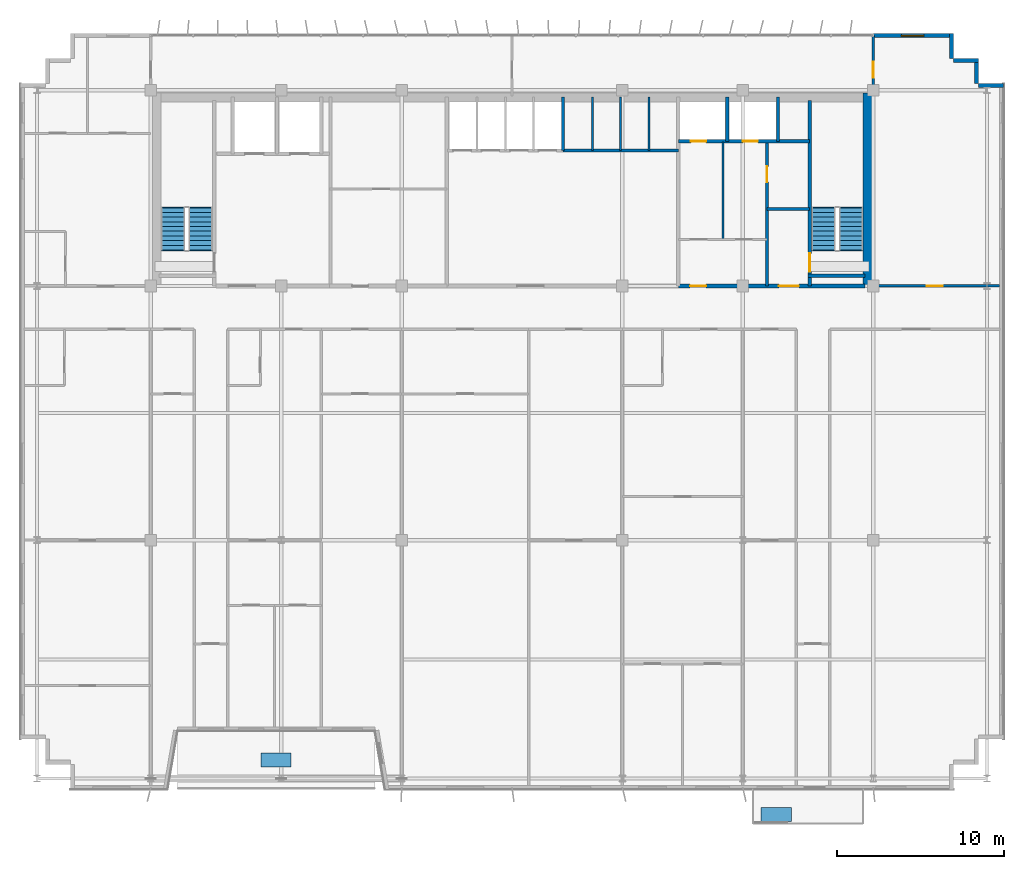
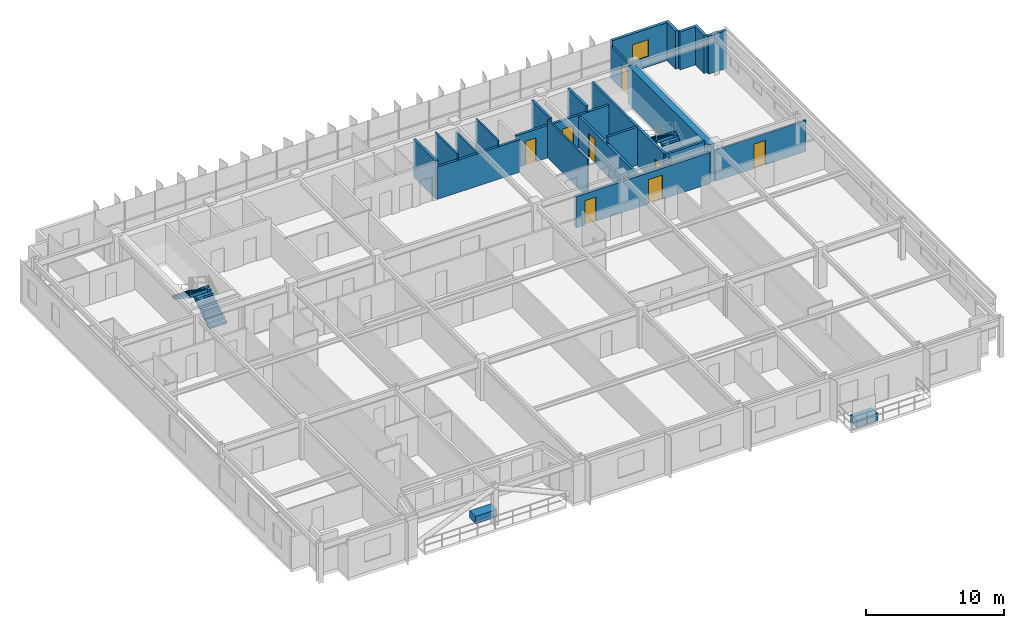
# One storey, part 18 of 20: 22 walls, 8 doors, 4 stair flights, 2 discrete accessories, 1 window, 9 openings, 2 elements without a shape of their own.
"""IFC4 building model written with IfcOpenShell, lengths in metres."""

from ifc_helpers import new_model, si_unit, direction, frame, frame_2d, origin, origin_2d, place, context, subcontext, project, spatial, polyline, rectangle, outline, extrude, source, transform, mapped, material, layer, layer_set, type_object, element, fill, aggregate, save


model = new_model("IFC4")

# Units and contexts
model_context = context("Model", 3, precision=1e-05, world=origin(), true_north=direction((0.0, 1.0)))
body_context = subcontext(model_context, "Body", "Model", "MODEL_VIEW")
ifc_project = project(units=[si_unit("LENGTHUNIT", "METRE"), si_unit("AREAUNIT", "SQUARE_METRE"), si_unit("VOLUMEUNIT", "CUBIC_METRE"), si_unit("PLANEANGLEUNIT", "RADIAN"), si_unit("MASSUNIT", "GRAM", prefix="KILO")], contexts=[model_context])

# Site, building, storey
site_placement = place(None, origin())
site = spatial("IfcSite", under=ifc_project, at=site_placement, CompositionType="ELEMENT")
building_placement = place(site_placement, origin())
building = spatial("IfcBuilding", under=site, at=building_placement, Name="Trelvane Seafront Commons", CompositionType="ELEMENT")
storey_placement = place(building_placement, frame((0.0, 0.0, 171.699951171875)))
storey = spatial("IfcBuildingStorey", under=building, at=storey_placement, Name="L45", CompositionType="ELEMENT", Elevation=171.699951171875)

# Wall, opening, window
ifc_material_1 = material(Name="Precast concrete C40/50", Category="concrete")
ifc_layer_1 = layer(ifc_material_1, 0.239990234375, Name="ARCH-WALL-EXT240")
ifc_layer_set_1 = layer_set([ifc_layer_1], Name="Precast concrete C40/50")
wall_type_1 = type_object("IfcWallType", Name="ARCH-WALL-EXT240", PredefinedType="SOLIDWALL", material=ifc_layer_set_1)
wall_1_placement = place(storey_placement, frame((58.800048828125, 48.3701171875, 0.0), z_axis=(0.0, 0.0, 1.0), x_axis=(1.0, 0.0, 0.0)))
wall_1 = element("IfcWall", 1, at=wall_1_placement, inside=storey, type_object=wall_type_1, Name="EW-L45-NE-0885", PredefinedType="SOLIDWALL", context=body_context, shape_type="SweptSolid", body=[
    extrude(rectangle(XDim=4.699951171875, YDim=0.239990234375, at=frame_2d((2.35009765625, 0.0))), origin(), (0.0, 0.0, 1.0), 3.35009765625),
])
opening_1_placement = place(wall_1_placement, frame((1.675048828125, 0.0, 0.89990234375)))
opening_1 = element("IfcOpeningElement", 2, at=opening_1_placement, cuts=wall_1, Name="Opening W09", PredefinedType="OPENING", context=body_context, shape_type="SweptSolid", body=[
    extrude(rectangle(XDim=1.35009765625, YDim=1.5, at=frame_2d((0.675048828125, 0.75))), frame((0.0, 0.1298828125, 0.0), z_axis=(0.0, -1.0, 0.0), x_axis=(1.0, 0.0, 0.0)), (0.0, 0.0, 1.0), 0.260009765625),
])
ifc_material_2 = material(Name="Low-E coastal double glazing", Category="glass")
window_type = type_object("IfcWindowType", Name="ARCH-WIN-W09", PartitioningType="SINGLE_PANEL", PredefinedType="WINDOW", material=ifc_material_2)
shared_shape_1 = source(origin(), body_context, "Body", "SweptSolid", [
    extrude(rectangle(XDim=1.35009765625, YDim=1.5, at=frame_2d((0.675048828125, 0.75))), frame((0.0, 0.030029296875, 0.0), z_axis=(0.0, -1.0, 0.0), x_axis=(1.0, 0.0, 0.0)), (0.0, 0.0, 1.0), 0.06005859375),
])
window_placement = place(opening_1_placement, origin())
window = element("IfcWindow", 3, at=window_placement, inside=storey, type_object=window_type, Name="WIN-L45-01065", OverallHeight=1.5, OverallWidth=1.35009765625, PartitioningType="SINGLE_PANEL", PredefinedType="WINDOW", context=body_context, shape_type="MappedRepresentation", body=[
    mapped(shared_shape_1, transform((0.0, 0.0, 0.0), x_axis=(1.0, 0.0, 0.0), y_axis=(0.0, 1.0, 0.0), z_axis=(0.0, 0.0, 1.0), scale=1.0)),
])
fill(opening_1, window)

# Walls
for number, where, z_axis, x_axis, name in (
    (4, (63.47998046875, 48.5, 0.0), (0.0, 0.0, 1.0), (0.0, -1.0, 0.0), "EW-L45-00894"),
    (5, (63.60009765625, 46.8798828125, 0.0), (0.0, 0.0, 1.0), (1.0, 0.0, 0.0), "EW-L45-00895"),
    (6, (64.97998046875, 47.0, 0.0), (0.0, 0.0, 1.0), (0.0, -1.0, 0.0), "EW-L45-00896"),
    (7, (65.10009765625, 45.3798828125, 0.0), (0.0, 0.0, 1.0), (1.0, 0.0, 0.0), "EW-L45-00897"),
):
    element("IfcWall", number, at=place(storey_placement, frame(where, z_axis=z_axis, x_axis=x_axis)), inside=storey, type_object=wall_type_1, Name=name, PredefinedType="SOLIDWALL", context=body_context, shape_type="SweptSolid", body=[
        extrude(rectangle(XDim=1.5, YDim=0.239990234375, at=frame_2d((0.75, 0.0))), origin(), (0.0, 0.0, 1.0), 3.35009765625),
    ])

# Wall, opening, door
ifc_material_3 = material(Name="Concrete C40/50", Category="concrete")
ifc_layer_2 = layer(ifc_material_3, 0.199951171875, Name="ARCH-WALL-FIRE200")
ifc_layer_set_2 = layer_set([ifc_layer_2], Name="Concrete C40/50")
wall_type_2 = type_object("IfcWallType", Name="ARCH-WALL-FIRE200", PredefinedType="PARTITIONING", material=ifc_layer_set_2)
wall_2_placement = place(storey_placement, frame((52.449951171875, 33.39990234375, 0.0), z_axis=(0.0, 0.0, 1.0), x_axis=(0.0, 1.0, 0.0)))
wall_2 = element("IfcWall", 8, at=wall_2_placement, inside=storey, type_object=wall_type_2, Name="W-L45-ST2V-W-031", PredefinedType="PARTITIONING", context=body_context, shape_type="SweptSolid", body=[
    extrude(rectangle(XDim=8.650146484375, YDim=0.199951171875, at=frame_2d((4.3251953125, 0.0))), origin(), (0.0, 0.0, 1.0), 2.75),
])
opening_2_placement = place(wall_2_placement, frame((6.199951171875, 0.0, 0.0)))
opening_2 = element("IfcOpeningElement", 9, at=opening_2_placement, cuts=wall_2, Name="Opening FD-L45-15", PredefinedType="OPENING", context=body_context, shape_type="SweptSolid", body=[
    extrude(rectangle(XDim=0.949951171875, YDim=2.14990234375, at=frame_2d((0.47509765625, 1.074951171875))), frame((0.0, 0.10986328125, 0.0), z_axis=(0.0, -1.0, 0.0), x_axis=(1.0, 0.0, 0.0)), (0.0, 0.0, 1.0), 0.219970703125),
])
ifc_material_4 = material(Name="Powder-coated aluminium frame", Category="aluminium")
door_type_1 = type_object("IfcDoorType", Name="ARCH-DR-FD60-950", OperationType="NOTDEFINED", PredefinedType="DOOR", material=ifc_material_4)
shared_shape_2 = source(origin(), body_context, "Body", "SweptSolid", [
    extrude(rectangle(XDim=0.949951171875, YDim=2.14990234375, at=frame_2d((0.47509765625, 1.074951171875))), frame((0.0, 0.02490234375, 0.0), z_axis=(0.0, -1.0, 0.0), x_axis=(1.0, 0.0, 0.0)), (0.0, 0.0, 1.0), 0.050048828125),
])
door_1_placement = place(opening_2_placement, origin())
door_1 = element("IfcDoor", 10, at=door_1_placement, inside=storey, type_object=door_type_1, Name="L45 Cleaner Store Door", OperationType="SINGLE_SWING_LEFT", OverallHeight=2.14990234375, OverallWidth=0.949951171875, PredefinedType="DOOR", context=body_context, shape_type="MappedRepresentation", body=[
    mapped(shared_shape_2, transform((0.0, 0.0, 0.0), x_axis=(1.0, 0.0, 0.0), y_axis=(0.0, 1.0, 0.0), z_axis=(0.0, 0.0, 1.0), scale=1.0)),
])
fill(opening_2, door_1)

# Wall
wall_3_placement = place(storey_placement, frame((52.449951171875, 38.0, 0.0), z_axis=(0.0, 0.0, 1.0), x_axis=(1.0, 0.0, 0.0)))
element("IfcWall", 11, at=wall_3_placement, inside=storey, type_object=wall_type_2, Name="W-L45-ST2V-N-032", PredefinedType="PARTITIONING", context=body_context, shape_type="SweptSolid", body=[
    extrude(rectangle(XDim=2.550048828125, YDim=0.199951171875, at=frame_2d((1.27490234375, 0.0))), origin(), (0.0, 0.0, 1.0), 3.35009765625),
])

# Wall, openings, doors
ifc_layer_3 = layer(ifc_material_3, 0.25, Name="ARCH-WALL-FIRE250")
ifc_layer_set_3 = layer_set([ifc_layer_3], Name="Concrete C40/50")
wall_type_3 = type_object("IfcWallType", Name="ARCH-WALL-FIRE250", PredefinedType="PARTITIONING", material=ifc_layer_set_3)
wall_4_placement = place(storey_placement, frame((47.14990234375, 33.39990234375, 0.0), z_axis=(0.0, 0.0, 1.0), x_axis=(1.0, 0.0, 0.0)))
wall_4 = element("IfcWall", 12, at=wall_4_placement, inside=storey, type_object=wall_type_3, Name="W-L45-CS-EAST-035", PredefinedType="PARTITIONING", context=body_context, shape_type="SweptSolid", body=[
    extrude(rectangle(XDim=11.150146484375, YDim=0.25, at=frame_2d((5.5751953125, 0.0))), origin(), (0.0, 0.0, 1.0), 2.75),
])
opening_3_placement = place(wall_4_placement, frame((0.699951171875, 0.0, 0.0)))
opening_3 = element("IfcOpeningElement", 13, at=opening_3_placement, cuts=wall_4, Name="Opening FD-L45-18", PredefinedType="OPENING", context=body_context, shape_type="SweptSolid", body=[
    extrude(rectangle(XDim=0.949951171875, YDim=2.14990234375, at=frame_2d((0.47509765625, 1.074951171875))), frame((0.0, 0.135009765625, 0.0), z_axis=(0.0, -1.0, 0.0), x_axis=(1.0, 0.0, 0.0)), (0.0, 0.0, 1.0), 0.27001953125),
])
opening_4_placement = place(wall_4_placement, frame((6.0, 0.0, 0.0)))
opening_4 = element("IfcOpeningElement", 14, at=opening_4_placement, cuts=wall_4, Name="Opening FD-L45-19", PredefinedType="OPENING", context=body_context, shape_type="SweptSolid", body=[
    extrude(rectangle(XDim=1.199951171875, YDim=2.14990234375, at=frame_2d((0.60009765625, 1.074951171875))), frame((0.0, 0.135009765625, 0.0), z_axis=(0.0, -1.0, 0.0), x_axis=(1.0, 0.0, 0.0)), (0.0, 0.0, 1.0), 0.27001953125),
])
door_2_placement = place(opening_3_placement, origin())
door_2 = element("IfcDoor", 15, at=door_2_placement, inside=storey, type_object=door_type_1, Name="L45 Core Service Lobby Door", OperationType="SINGLE_SWING_RIGHT", OverallHeight=2.14990234375, OverallWidth=0.949951171875, PredefinedType="DOOR", context=body_context, shape_type="MappedRepresentation", body=[
    mapped(shared_shape_2, transform((0.0, 0.0, 0.0), x_axis=(1.0, 0.0, 0.0), y_axis=(0.0, 1.0, 0.0), z_axis=(0.0, 0.0, 1.0), scale=1.0)),
])
fill(opening_3, door_2)
door_type_2 = type_object("IfcDoorType", Name="ARCH-DR-FD60-1200", OperationType="NOTDEFINED", PredefinedType="DOOR", material=ifc_material_4)
shared_shape_3 = source(origin(), body_context, "Body", "SweptSolid", [
    extrude(rectangle(XDim=1.199951171875, YDim=2.14990234375, at=frame_2d((0.60009765625, 1.074951171875))), frame((0.0, 0.02490234375, 0.0), z_axis=(0.0, -1.0, 0.0), x_axis=(1.0, 0.0, 0.0)), (0.0, 0.0, 1.0), 0.050048828125),
])
door_3_placement = place(opening_4_placement, origin())
door_3 = element("IfcDoor", 16, at=door_3_placement, inside=storey, type_object=door_type_2, Name="L45 East Stair Vestibule Fire Door", OperationType="SINGLE_SWING_LEFT", OverallHeight=2.14990234375, OverallWidth=1.199951171875, PredefinedType="DOOR", context=body_context, shape_type="MappedRepresentation", body=[
    mapped(shared_shape_3, transform((0.0, 0.0, 0.0), x_axis=(1.0, 0.0, 0.0), y_axis=(0.0, 1.0, 0.0), z_axis=(0.0, 0.0, 1.0), scale=1.0)),
])
fill(opening_4, door_3)

# Walls
ifc_material_5 = material(Name="Gypsum Drywall Acoustic Partition")
ifc_layer_4 = layer(ifc_material_5, 0.1201171875, Name="ARCH-WALL-PART120")
ifc_layer_set_4 = layer_set([ifc_layer_4], Name="Gypsum Drywall Acoustic Partition")
wall_type_4 = type_object("IfcWallType", Name="ARCH-WALL-PART120", PredefinedType="PARTITIONING", material=ifc_layer_set_4)
wall_5_placement = place(storey_placement, frame((42.0, 41.5, 0.0), z_axis=(0.0, 0.0, 1.0), x_axis=(0.0, 1.0, 0.0)))
element("IfcWall", 17, at=wall_5_placement, inside=storey, type_object=wall_type_4, Name="W-L45-PH-DIV1-022", PredefinedType="PARTITIONING", context=body_context, shape_type="SweptSolid", body=[
    extrude(rectangle(XDim=3.199951171875, YDim=0.1201171875, at=frame_2d((1.60009765625, 0.0))), origin(), (0.0, 0.0, 1.0), 3.35009765625),
])
wall_6_placement = place(storey_placement, frame((43.699951171875, 41.5, 0.0), z_axis=(0.0, 0.0, 1.0), x_axis=(0.0, 1.0, 0.0)))
element("IfcWall", 18, at=wall_6_placement, inside=storey, type_object=wall_type_4, Name="W-L45-PH-DIV2-023", PredefinedType="PARTITIONING", context=body_context, shape_type="SweptSolid", body=[
    extrude(rectangle(XDim=3.199951171875, YDim=0.1201171875, at=frame_2d((1.60009765625, 0.0))), origin(), (0.0, 0.0, 1.0), 2.85009765625),
])
wall_7_placement = place(storey_placement, frame((45.39990234375, 41.5, 0.0), z_axis=(0.0, 0.0, 1.0), x_axis=(0.0, 1.0, 0.0)))
element("IfcWall", 19, at=wall_7_placement, inside=storey, type_object=wall_type_4, Name="W-L45-PH-DIV3-024", PredefinedType="PARTITIONING", context=body_context, shape_type="SweptSolid", body=[
    extrude(rectangle(XDim=3.199951171875, YDim=0.1201171875, at=frame_2d((1.60009765625, 0.0))), origin(), (0.0, 0.0, 1.0), 3.35009765625),
])
wall_8_placement = place(storey_placement, frame((49.820068359375, 36.179931640625, 0.0), z_axis=(0.0, 0.0, 1.0), x_axis=(0.0, 1.0, 0.0)))
element("IfcWall", 20, at=wall_8_placement, inside=storey, type_object=wall_type_4, Name="W-L45-CYC1-V-034", PredefinedType="PARTITIONING", context=body_context, shape_type="SweptSolid", body=[
    extrude(rectangle(XDim=5.820068359375, YDim=0.1201171875, at=frame_2d((2.91015625, 0.0))), origin(), (0.0, 0.0, 1.0), 3.35009765625),
])

# Wall, opening, door
ifc_layer_5 = layer(ifc_material_5, 0.14990234375, Name="ARCH-WALL-PART150")
ifc_layer_set_5 = layer_set([ifc_layer_5], Name="Gypsum Drywall Acoustic Partition")
wall_type_5 = type_object("IfcWallType", Name="ARCH-WALL-PART150", PredefinedType="PARTITIONING", material=ifc_layer_set_5)
wall_9_placement = place(storey_placement, frame((58.800048828125, 33.39990234375, 0.0), z_axis=(0.0, 0.0, 1.0), x_axis=(1.0, 0.0, 0.0)))
wall_9 = element("IfcWall", 21, at=wall_9_placement, inside=storey, type_object=wall_type_5, Name="W-L45-NE-ENT-042", PredefinedType="PARTITIONING", context=body_context, shape_type="SweptSolid", body=[
    extrude(rectangle(XDim=7.550048828125, YDim=0.14990234375, at=frame_2d((3.77490234375, 0.0))), origin(), (0.0, 0.0, 1.0), 2.75),
])
opening_5_placement = place(wall_9_placement, frame((3.199951171875, 0.0, 0.0)))
opening_5 = element("IfcOpeningElement", 22, at=opening_5_placement, cuts=wall_9, Name="Opening FD-L45-24", PredefinedType="OPENING", context=body_context, shape_type="SweptSolid", body=[
    extrude(rectangle(XDim=0.949951171875, YDim=2.14990234375, at=frame_2d((0.47509765625, 1.074951171875))), frame((0.0, 0.0849609375, 0.0), z_axis=(0.0, -1.0, 0.0), x_axis=(1.0, 0.0, 0.0)), (0.0, 0.0, 1.0), 0.169921875),
])
door_4_placement = place(opening_5_placement, origin())
door_4 = element("IfcDoor", 23, at=door_4_placement, inside=storey, type_object=door_type_1, Name="L45 NE Suite Entrance Door", OperationType="SINGLE_SWING_RIGHT", OverallHeight=2.14990234375, OverallWidth=0.949951171875, PredefinedType="DOOR", context=body_context, shape_type="MappedRepresentation", body=[
    mapped(shared_shape_2, transform((0.0, 0.0, 0.0), x_axis=(1.0, 0.0, 0.0), y_axis=(0.0, 1.0, 0.0), z_axis=(0.0, 0.0, 1.0), scale=1.0)),
])
fill(opening_5, door_4)

wall_10_placement = place(storey_placement, frame((58.800048828125, 44.75, 0.0), z_axis=(0.0, 0.0, 1.0), x_axis=(0.0, 1.0, 0.0)))
wall_10 = element("IfcWall", 24, at=wall_10_placement, inside=storey, type_object=wall_type_5, Name="W-L45-N-LINK-E-045", PredefinedType="PARTITIONING", context=body_context, shape_type="SweptSolid", body=[
    extrude(rectangle(XDim=3.610107421875, YDim=0.14990234375, at=frame_2d((1.80517578125, 0.0))), origin(), (0.0, 0.0, 1.0), 2.85009765625),
])
opening_6_placement = place(wall_10_placement, frame((1.10009765625, 0.0, 0.0)))
opening_6 = element("IfcOpeningElement", 25, at=opening_6_placement, cuts=wall_10, Name="Opening FD-L45-27", PredefinedType="OPENING", context=body_context, shape_type="SweptSolid", body=[
    extrude(rectangle(XDim=0.949951171875, YDim=2.14990234375, at=frame_2d((0.47509765625, 1.074951171875))), frame((0.0, 0.0849609375, 0.0), z_axis=(0.0, -1.0, 0.0), x_axis=(1.0, 0.0, 0.0)), (0.0, 0.0, 1.0), 0.169921875),
])
door_5_placement = place(opening_6_placement, origin())
door_5 = element("IfcDoor", 26, at=door_5_placement, inside=storey, type_object=door_type_1, Name="L45 Door 27", OperationType="SINGLE_SWING_LEFT", OverallHeight=2.14990234375, OverallWidth=0.949951171875, PredefinedType="DOOR", context=body_context, shape_type="MappedRepresentation", body=[
    mapped(shared_shape_2, transform((0.0, 0.0, 0.0), x_axis=(1.0, 0.0, 0.0), y_axis=(0.0, 1.0, 0.0), z_axis=(0.0, 0.0, 1.0), scale=1.0)),
])
fill(opening_6, door_5)

# Walls
ifc_layer_6 = layer(ifc_material_3, 0.199951171875, Name="ARCH-WALL-SHAFT200")
ifc_layer_set_6 = layer_set([ifc_layer_6], Name="Concrete C40/50")
wall_type_6 = type_object("IfcWallType", Name="ARCH-WALL-SHAFT200", PredefinedType="SOLIDWALL", material=ifc_layer_set_6)
wall_11_placement = place(storey_placement, frame((40.25, 41.5, 0.0), z_axis=(0.0, 0.0, 1.0), x_axis=(1.0, 0.0, 0.0)))
element("IfcWall", 27, at=wall_11_placement, inside=storey, type_object=wall_type_6, Name="W-L45-PH-FRONT-020", PredefinedType="SOLIDWALL", context=body_context, shape_type="SweptSolid", body=[
    extrude(rectangle(XDim=6.89990234375, YDim=0.199951171875, at=frame_2d((3.449951171875, 0.0))), origin(), (0.0, 0.0, 1.0), 2.85009765625),
])
wall_12_placement = place(storey_placement, frame((40.25, 41.5, 0.0), z_axis=(0.0, 0.0, 1.0), x_axis=(0.0, 1.0, 0.0)))
element("IfcWall", 28, at=wall_12_placement, inside=storey, type_object=wall_type_6, Name="W-L45-PH-WEST-SH-021", PredefinedType="SOLIDWALL", context=body_context, shape_type="SweptSolid", body=[
    extrude(rectangle(XDim=3.199951171875, YDim=0.199951171875, at=frame_2d((1.60009765625, 0.0))), origin(), (0.0, 0.0, 1.0), 3.35009765625),
])

# Wall, openings, doors
wall_13_placement = place(storey_placement, frame((47.14990234375, 42.050048828125, 0.0), z_axis=(0.0, 0.0, 1.0), x_axis=(1.0, 0.0, 0.0)))
wall_13 = element("IfcWall", 29, at=wall_13_placement, inside=storey, type_object=wall_type_6, Name="W-L45-RSR-S-028", PredefinedType="SOLIDWALL", context=body_context, shape_type="SweptSolid", body=[
    extrude(rectangle(XDim=7.85009765625, YDim=0.199951171875, at=frame_2d((3.925048828125, 0.0))), origin(), (0.0, 0.0, 1.0), 2.85009765625),
])
opening_7_placement = place(wall_13_placement, frame((0.75, 0.0, 0.0)))
opening_7 = element("IfcOpeningElement", 30, at=opening_7_placement, cuts=wall_13, Name="Opening FD-L45-13", PredefinedType="OPENING", context=body_context, shape_type="SweptSolid", body=[
    extrude(rectangle(XDim=0.89990234375, YDim=2.10009765625, at=frame_2d((0.449951171875, 1.050048828125))), frame((0.0, 0.10986328125, 0.0), z_axis=(0.0, -1.0, 0.0), x_axis=(1.0, 0.0, 0.0)), (0.0, 0.0, 1.0), 0.219970703125),
])
opening_8_placement = place(wall_13_placement, frame((3.85009765625, 0.0, 0.0)))
opening_8 = element("IfcOpeningElement", 31, at=opening_8_placement, cuts=wall_13, Name="Opening FD-L45-14", PredefinedType="OPENING", context=body_context, shape_type="SweptSolid", body=[
    extrude(rectangle(XDim=0.89990234375, YDim=2.10009765625, at=frame_2d((0.449951171875, 1.050048828125))), frame((0.0, 0.10986328125, 0.0), z_axis=(0.0, -1.0, 0.0), x_axis=(1.0, 0.0, 0.0)), (0.0, 0.0, 1.0), 0.219970703125),
])
door_type_3 = type_object("IfcDoorType", Name="ARCH-DR-FD60-900", OperationType="NOTDEFINED", PredefinedType="DOOR", material=ifc_material_4)
shared_shape_4 = source(origin(), body_context, "Body", "SweptSolid", [
    extrude(rectangle(XDim=0.89990234375, YDim=2.10009765625, at=frame_2d((0.449951171875, 1.050048828125))), frame((0.0, 0.02490234375, 0.0), z_axis=(0.0, -1.0, 0.0), x_axis=(1.0, 0.0, 0.0)), (0.0, 0.0, 1.0), 0.050048828125),
])
door_6_placement = place(opening_7_placement, origin())
door_6 = element("IfcDoor", 32, at=door_6_placement, inside=storey, type_object=door_type_3, Name="L45 Electrical Riser Access Door", OperationType="SINGLE_SWING_LEFT", OverallHeight=2.10009765625, OverallWidth=0.89990234375, PredefinedType="DOOR", context=body_context, shape_type="MappedRepresentation", body=[
    mapped(shared_shape_4, transform((0.0, 0.0, 0.0), x_axis=(1.0, 0.0, 0.0), y_axis=(0.0, 1.0, 0.0), z_axis=(0.0, 0.0, 1.0), scale=1.0)),
])
fill(opening_7, door_6)
door_7_placement = place(opening_8_placement, origin())
door_7 = element("IfcDoor", 33, at=door_7_placement, inside=storey, type_object=door_type_3, Name="L45 Mechanical Riser Access Door", OperationType="SINGLE_SWING_RIGHT", OverallHeight=2.10009765625, OverallWidth=0.89990234375, PredefinedType="DOOR", context=body_context, shape_type="MappedRepresentation", body=[
    mapped(shared_shape_4, transform((0.0, 0.0, 0.0), x_axis=(1.0, 0.0, 0.0), y_axis=(0.0, 1.0, 0.0), z_axis=(0.0, 0.0, 1.0), scale=1.0)),
])
fill(opening_8, door_7)

# Walls
for number, where, z_axis, x_axis, name in (
    (34, (50.080078125, 42.050048828125, 0.0), (0.0, 0.0, 1.0), (0.0, 1.0, 0.0), "W-L45-RSR-DIV-029"),
    (35, (53.10009765625, 42.050048828125, 0.0), (0.0, 0.0, 1.0), (0.0, 1.0, 0.0), "W-L45-RSR-E-030"),
):
    element("IfcWall", number, at=place(storey_placement, frame(where, z_axis=z_axis, x_axis=x_axis)), inside=storey, type_object=wall_type_6, Name=name, PredefinedType="SOLIDWALL", context=body_context, shape_type="SweptSolid", body=[
        extrude(rectangle(XDim=2.64990234375, YDim=0.199951171875, at=frame_2d((1.324951171875, 0.0))), origin(), (0.0, 0.0, 1.0), 3.35009765625),
    ])
ifc_material_6 = material(Name="Concrete C50/60", Category="concrete")
ifc_layer_7 = layer(ifc_material_6, 0.550048828125, Name="STR-WALL-CORE550")
ifc_layer_set_7 = layer_set([ifc_layer_7], Name="Concrete C50/60")
wall_type_7 = type_object("IfcWallType", Name="STR-WALL-CORE550", PredefinedType="SHEAR", material=ifc_layer_set_7)
wall_14_placement = place(storey_placement, frame((58.47509765625, 33.39990234375, 0.0), z_axis=(0.0, 0.0, 1.0), x_axis=(0.0, 1.0, 0.0)))
element("IfcWall", 36, at=wall_14_placement, inside=storey, type_object=wall_type_7, Name="W-L45-CE-END-003", PredefinedType="SHEAR", context=body_context, shape_type="SweptSolid", body=[
    extrude(rectangle(XDim=11.550048828125, YDim=0.550048828125, at=frame_2d((5.77490234375, 0.0))), origin(), (0.0, 0.0, 1.0), 3.35009765625),
])
ifc_layer_8 = layer(ifc_material_6, 0.199951171875, Name="STR-WALL-STAIR200")
ifc_layer_set_8 = layer_set([ifc_layer_8], Name="Concrete C50/60")
wall_type_8 = type_object("IfcWallType", Name="STR-WALL-STAIR200", PredefinedType="SHEAR", material=ifc_layer_set_8)
wall_15_placement = place(storey_placement, frame((54.89990234375, 34.0, 0.0), z_axis=(0.0, 0.0, 1.0), x_axis=(1.0, 0.0, 0.0)))
element("IfcWall", 37, at=wall_15_placement, inside=storey, type_object=wall_type_8, Name="W-L45-ST2-S-006", PredefinedType="SHEAR", context=body_context, shape_type="SweptSolid", body=[
    extrude(rectangle(XDim=3.400146484375, YDim=0.199951171875, at=frame_2d((1.7001953125, 0.0))), origin(), (0.0, 0.0, 1.0), 3.35009765625),
])

# Wall, opening, door
wall_16_placement = place(storey_placement, frame((55.0, 33.39990234375, 0.0), z_axis=(0.0, 0.0, 1.0), x_axis=(0.0, 1.0, 0.0)))
wall_16 = element("IfcWall", 38, at=wall_16_placement, inside=storey, type_object=wall_type_8, Name="W-L45-ST2-W-007", PredefinedType="SHEAR", context=body_context, shape_type="SweptSolid", body=[
    extrude(rectangle(XDim=11.10009765625, YDim=0.199951171875, at=frame_2d((5.550048828125, 0.0))), origin(), (0.0, 0.0, 1.0), 3.35009765625),
])
opening_9_placement = place(wall_16_placement, frame((0.85009765625, 0.0, 0.0)))
opening_9 = element("IfcOpeningElement", 39, at=opening_9_placement, cuts=wall_16, Name="Opening ST-D2-L45", PredefinedType="OPENING", context=body_context, shape_type="SweptSolid", body=[
    extrude(rectangle(XDim=1.10009765625, YDim=2.14990234375, at=frame_2d((0.550048828125, 1.074951171875))), frame((0.0, 0.10986328125, 0.0), z_axis=(0.0, -1.0, 0.0), x_axis=(1.0, 0.0, 0.0)), (0.0, 0.0, 1.0), 0.219970703125),
])
door_type_4 = type_object("IfcDoorType", Name="ARCH-DR-FD90-1100", OperationType="NOTDEFINED", PredefinedType="DOOR", material=ifc_material_4)
shared_shape_5 = source(origin(), body_context, "Body", "SweptSolid", [
    extrude(rectangle(XDim=1.10009765625, YDim=2.14990234375, at=frame_2d((0.550048828125, 1.074951171875))), frame((0.0, 0.02490234375, 0.0), z_axis=(0.0, -1.0, 0.0), x_axis=(1.0, 0.0, 0.0)), (0.0, 0.0, 1.0), 0.050048828125),
])
door_8_placement = place(opening_9_placement, origin())
door_8 = element("IfcDoor", 40, at=door_8_placement, inside=storey, type_object=door_type_4, Name="L45 Stair ST-2 Vestibule Fire Door", OperationType="SINGLE_SWING_RIGHT", OverallHeight=2.14990234375, OverallWidth=1.10009765625, PredefinedType="DOOR", context=body_context, shape_type="MappedRepresentation", body=[
    mapped(shared_shape_5, transform((0.0, 0.0, 0.0), x_axis=(1.0, 0.0, 0.0), y_axis=(0.0, 1.0, 0.0), z_axis=(0.0, 0.0, 1.0), scale=1.0)),
])
fill(opening_9, door_8)

# Stair, stair flights
stair_type_1 = type_object("IfcStairType", Name="ARCH-STR-ST-1-R20-180", PredefinedType="HALF_TURN_STAIR", material=ifc_material_3)
stair_1_placement = place(storey_placement, origin())
stair_1 = element("IfcStair", 41, at=stair_1_placement, inside=storey, type_object=stair_type_1, Name="L45 West Protected Firefighting Exit Stair ST-1", PredefinedType="HALF_TURN_STAIR")
stair_flight_type_1 = type_object("IfcStairFlightType", Name="ARCH-FLG-ST-1-R20-180", PredefinedType="STRAIGHT", material=ifc_material_3)
shared_shape_6 = source(origin(), body_context, "Body", "SweptSolid", [
    extrude(outline(polyline([(-0.050048828125, -0.02001953125), (-0.050048828125, 0.0), (0.0, 0.0), (0.0, 0.179931640625), (0.280029296875, 0.179931640625), (0.280029296875, 0.360107421875), (0.56005859375, 0.360107421875), (0.56005859375, 0.5400390625), (0.840087890625, 0.5400390625), (0.840087890625, 0.719970703125), (1.1201171875, 0.719970703125), (1.1201171875, 0.89990234375), (1.39990234375, 0.89990234375), (1.39990234375, 1.080078125), (1.679931640625, 1.080078125), (1.679931640625, 1.260009765625), (1.9599609375, 1.260009765625), (1.9599609375, 1.43994140625), (2.239990234375, 1.43994140625), (2.239990234375, 1.6201171875), (2.52001953125, 1.6201171875), (2.52001953125, 1.800048828125), (2.570068359375, 1.800048828125), (2.570068359375, 1.650146484375), (2.52001953125, 1.44189453125), (0.277099609375, -0.02001953125), (-0.050048828125, -0.02001953125)])), frame((0.0, 0.72509765625, 0.0), z_axis=(0.0, -1.0, 0.0), x_axis=(1.0, 0.0, 0.0)), (0.0, 0.0, 1.0), 1.449951171875),
])
stair_flight_1_placement = place(storey_placement, frame((18.574951171875, 35.550048828125, 0.0), z_axis=(0.0, 0.0, 1.0), x_axis=(0.0, 1.0, 0.0)))
stair_flight_1 = element("IfcStairFlight", 42, at=stair_flight_1_placement, type_object=stair_flight_type_1, Name="ST-1 flight 1", NumberOfRisers=10, NumberOfTreads=9, PredefinedType="STRAIGHT", RiserHeight=0.18, TreadLength=0.28, context=body_context, shape_type="MappedRepresentation", body=[
    mapped(shared_shape_6, transform((0.0, 0.0, 0.0), x_axis=(1.0, 0.0, 0.0), y_axis=(0.0, 1.0, 0.0), z_axis=(0.0, 0.0, 1.0), scale=1.0)),
])
stair_flight_2_placement = place(storey_placement, frame((16.925048828125, 38.070068359375, 1.800048828125), z_axis=(0.0, 0.0, 1.0), x_axis=(0.0, -1.0, 0.0)))
stair_flight_2 = element("IfcStairFlight", 43, at=stair_flight_2_placement, type_object=stair_flight_type_1, Name="ST-1 flight 2", NumberOfRisers=10, NumberOfTreads=9, PredefinedType="STRAIGHT", RiserHeight=0.18, TreadLength=0.28, context=body_context, shape_type="MappedRepresentation", body=[
    mapped(shared_shape_6, transform((0.0, 0.0, 0.0), x_axis=(1.0, 0.0, 0.0), y_axis=(0.0, 1.0, 0.0), z_axis=(0.0, 0.0, 1.0), scale=1.0)),
])
aggregate(stair_1, [stair_flight_1, stair_flight_2])

stair_type_2 = type_object("IfcStairType", Name="ARCH-STR-ST-2-R20-180", PredefinedType="HALF_TURN_STAIR", material=ifc_material_3)
stair_2_placement = place(storey_placement, origin())
stair_2 = element("IfcStair", 44, at=stair_2_placement, inside=storey, type_object=stair_type_2, Name="L45 East Protected Firefighting Exit Stair ST-2", PredefinedType="HALF_TURN_STAIR")
stair_flight_type_2 = type_object("IfcStairFlightType", Name="ARCH-FLG-ST-2-R20-180", PredefinedType="STRAIGHT", material=ifc_material_3)
stair_flight_3_placement = place(storey_placement, frame((57.47509765625, 35.550048828125, 0.0), z_axis=(0.0, 0.0, 1.0), x_axis=(0.0, 1.0, 0.0)))
stair_flight_3 = element("IfcStairFlight", 45, at=stair_flight_3_placement, type_object=stair_flight_type_2, Name="ST-2 flight 1", NumberOfRisers=10, NumberOfTreads=9, PredefinedType="STRAIGHT", RiserHeight=0.18, TreadLength=0.28, context=body_context, shape_type="MappedRepresentation", body=[
    mapped(shared_shape_6, transform((0.0, 0.0, 0.0), x_axis=(1.0, 0.0, 0.0), y_axis=(0.0, 1.0, 0.0), z_axis=(0.0, 0.0, 1.0), scale=1.0)),
])
stair_flight_4_placement = place(storey_placement, frame((55.824951171875, 38.070068359375, 1.800048828125), z_axis=(0.0, 0.0, 1.0), x_axis=(0.0, -1.0, 0.0)))
stair_flight_4 = element("IfcStairFlight", 46, at=stair_flight_4_placement, type_object=stair_flight_type_2, Name="ST-2 flight 2", NumberOfRisers=10, NumberOfTreads=9, PredefinedType="STRAIGHT", RiserHeight=0.18, TreadLength=0.28, context=body_context, shape_type="MappedRepresentation", body=[
    mapped(shared_shape_6, transform((0.0, 0.0, 0.0), x_axis=(1.0, 0.0, 0.0), y_axis=(0.0, 1.0, 0.0), z_axis=(0.0, 0.0, 1.0), scale=1.0)),
])
aggregate(stair_2, [stair_flight_3, stair_flight_4])

# Discrete accessories
discrete_accessory_type = type_object("IfcDiscreteAccessoryType", Name="ARCH-ACC-PLANTER", PredefinedType="USERDEFINED", material=ifc_material_1)
shared_shape_7 = source(origin(), body_context, "Body", "SweptSolid", [
    extrude(rectangle(XDim=1.800048828125, YDim=0.85009765625, at=origin_2d()), origin(), (0.0, 0.0, 1.0), 0.64990234375),
])
for number, where, z_axis, x_axis, name in (
    (47, (23.10009765625, 5.050048828125, 0.0), (0.0, 0.0, 1.0), (1.0, 0.0, 0.0), "PLN-L45-TR0-050"),
    (48, (53.0, 1.800048828125, 0.0), (0.0, 0.0, 1.0), (1.0, 0.0, 0.0), "PLN-L45-B0-051"),
):
    element("IfcDiscreteAccessory", number, at=place(storey_placement, frame(where, z_axis=z_axis, x_axis=x_axis)), inside=storey, type_object=discrete_accessory_type, Name=name, ObjectType="BALCONY TREE PLANTER", PredefinedType="USERDEFINED", context=body_context, shape_type="MappedRepresentation", body=[
        mapped(shared_shape_7, transform((0.0, 0.0, 0.0), x_axis=(1.0, 0.0, 0.0), y_axis=(0.0, 1.0, 0.0), z_axis=(0.0, 0.0, 1.0), scale=1.0)),
    ])

save(model, "model.ifc")
